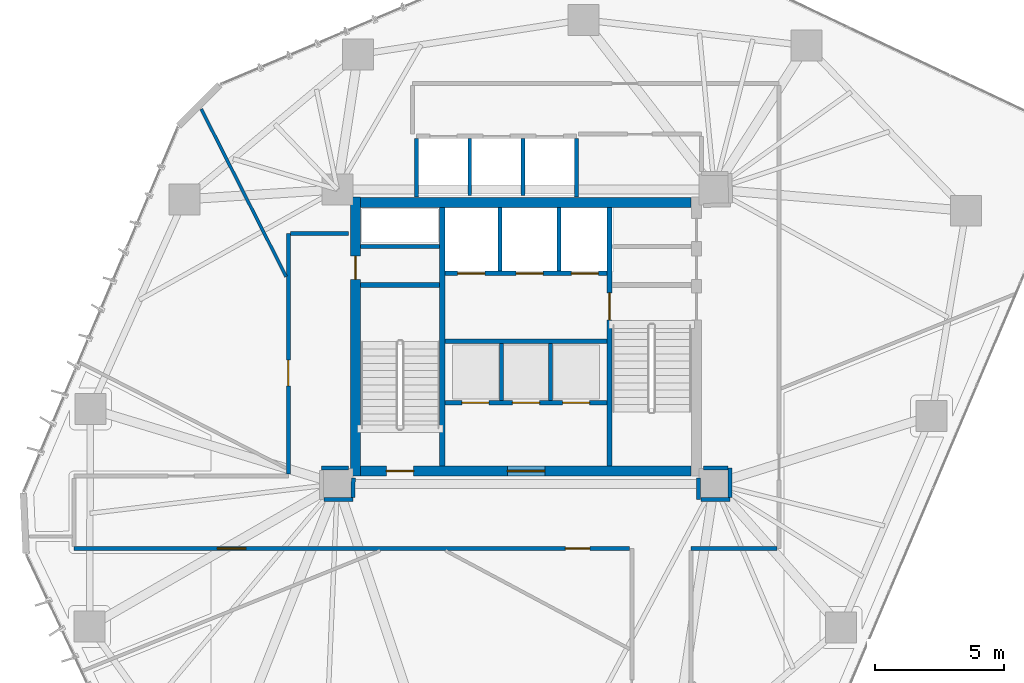
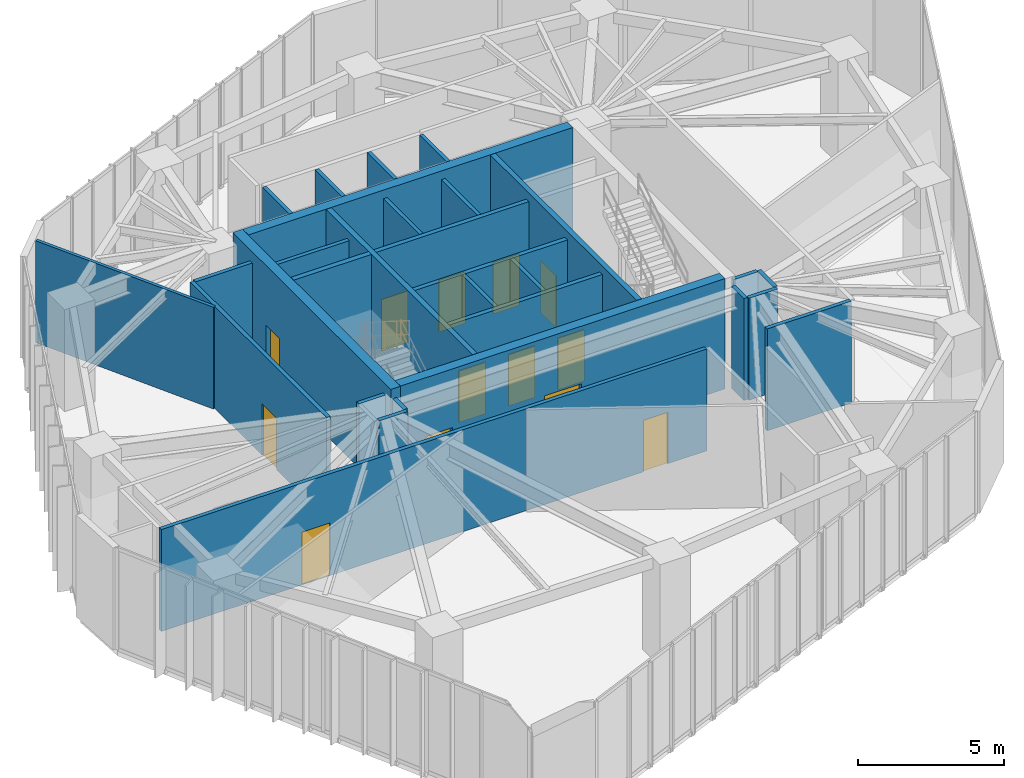
# One storey, part 22 of 28: 30 walls, 13 doors, 13 openings.
"""IFC4 building model written with IfcOpenShell, lengths in metres."""

from ifc_helpers import new_model, si_unit, direction, frame, frame_2d, origin, place, context, subcontext, project, spatial, rectangle, extrude, source, transform, mapped, material, layer, layer_set, type_object, type_shapes, element, fill, save


model = new_model("IFC4")

# Units and contexts
model_context = context("Model", 3, precision=1e-05, world=origin(), true_north=direction((0.0, 1.0)))
body_context = subcontext(model_context, "Body", "Model", "MODEL_VIEW")
ifc_project = project(units=[si_unit("LENGTHUNIT", "METRE"), si_unit("AREAUNIT", "SQUARE_METRE"), si_unit("VOLUMEUNIT", "CUBIC_METRE"), si_unit("PLANEANGLEUNIT", "RADIAN"), si_unit("MASSUNIT", "GRAM", prefix="KILO")], contexts=[model_context])

# Site, building, storey
site_placement = place(None, origin())
site = spatial("IfcSite", under=ifc_project, at=site_placement, CompositionType="ELEMENT")
building_placement = place(site_placement, origin())
building = spatial("IfcBuilding", under=site, at=building_placement, Name="Talar Marvaseh", CompositionType="ELEMENT")
storey_placement = place(building_placement, frame((0.0, 0.0, 157.800048828125)))
storey = spatial("IfcBuildingStorey", under=building, at=storey_placement, Name="L41", CompositionType="ELEMENT", Elevation=157.800048828125)

# Wall
ifc_material_1 = material(Name="Gypsum Board Partition Assembly")
ifc_layer_1 = layer(ifc_material_1, 0.155029296875)
ifc_layer_set_1 = layer_set([ifc_layer_1], Name="Gypsum Board Partition Assembly")
wall_type_1 = type_object("IfcWallType", Name="Corridor Fire-Rated Acoustic Partition 155", PredefinedType="PARTITIONING", material=ifc_layer_set_1)
wall_1_placement = place(storey_placement, frame((19.60009765625, 34.699951171875, 0.0), z_axis=(0.0, 0.0, 1.0), x_axis=(1.0, 0.0, 0.0)))
element("IfcWall", 1, at=wall_1_placement, inside=storey, type_object=wall_type_1, Name="L41 Core BOH Partition", PredefinedType="PARTITIONING", context=body_context, shape_type="SweptSolid", body=[
    extrude(rectangle(XDim=3.059814453125, YDim=0.155029296875, at=frame_2d((1.52978515625, 0.0))), origin(), (0.0, 0.0, 1.0), 4.25),
])

# Wall, opening, door
wall_2_placement = place(storey_placement, frame((16.800048828125, 25.883544921875, 0.0), z_axis=(0.0, 0.0, 1.0), x_axis=(0.0, 1.0, 0.0)))
wall_2 = element("IfcWall", 2, at=wall_2_placement, inside=storey, type_object=wall_type_1, Name="L41 Interior Partition Wall", PredefinedType="PARTITIONING", context=body_context, shape_type="SweptSolid", body=[
    extrude(rectangle(XDim=9.31640625, YDim=0.155029296875, at=frame_2d((4.658203125, 0.0))), origin(), (0.0, 0.0, 1.0), 4.25),
])
opening_1_placement = place(wall_2_placement, frame((3.412109375, 0.0, 0.0)))
opening_1 = element("IfcOpeningElement", 3, at=opening_1_placement, cuts=wall_2, Name="Opening DR-RM100", PredefinedType="OPENING", context=body_context, shape_type="SweptSolid", body=[
    extrude(rectangle(XDim=1.0, YDim=2.14990234375, at=frame_2d((0.5, 1.074951171875))), frame((0.0, 0.08740234375, 0.0), z_axis=(0.0, -1.0, 0.0), x_axis=(1.0, 0.0, 0.0)), (0.0, 0.0, 1.0), 0.175048828125),
])
ifc_material_2 = material(Name="Acoustic Engineered Oak Timber", Category="wood")
door_type_1 = type_object("IfcDoorType", Name="Corridor Fire-Rated Gallery Door 1000x2150", OperationType="NOTDEFINED", PredefinedType="DOOR", material=ifc_material_2)
shared_shape_1 = source(origin(), body_context, "Body", "SweptSolid", [
    extrude(rectangle(XDim=1.0, YDim=2.14990234375, at=frame_2d((0.5, 1.074951171875))), frame((0.0, 0.02490234375, 0.0), z_axis=(0.0, -1.0, 0.0), x_axis=(1.0, 0.0, 0.0)), (0.0, 0.0, 1.0), 0.050048828125),
])
type_shapes(door_type_1, [shared_shape_1])
door_1_placement = place(opening_1_placement, origin())
door_1 = element("IfcDoor", 4, at=door_1_placement, inside=storey, type_object=door_type_1, Name="L41 Scholars' Registration Reception Door", OperationType="SINGLE_SWING_LEFT", OverallHeight=2.14990234375, OverallWidth=1.0, PredefinedType="DOOR", context=body_context, shape_type="MappedRepresentation", body=[
    mapped(shared_shape_1, transform((0.0, 0.0, 0.0), x_axis=(1.0, 0.0, 0.0), y_axis=(0.0, 1.0, 0.0), z_axis=(0.0, 0.0, 1.0), scale=1.0)),
])
fill(opening_1, door_1)

# Wall, openings, doors
wall_3_placement = place(storey_placement, frame((30.0166015625, 23.0, 0.0), z_axis=(0.0, 0.0, 1.0), x_axis=(-1.0, 0.0, 0.0)))
wall_3 = element("IfcWall", 5, at=wall_3_placement, inside=storey, type_object=wall_type_1, Name="L41 Interior Partition Wall", PredefinedType="PARTITIONING", context=body_context, shape_type="SweptSolid", body=[
    extrude(rectangle(XDim=21.5166015625, YDim=0.155029296875, at=frame_2d((10.75830078125, 0.0))), origin(), (0.0, 0.0, 1.0), 4.25),
])
opening_2_placement = place(wall_3_placement, frame((14.865234375, 0.0, 0.0)))
opening_2 = element("IfcOpeningElement", 6, at=opening_2_placement, cuts=wall_3, Name="Opening DR-RM110", PredefinedType="OPENING", context=body_context, shape_type="SweptSolid", body=[
    extrude(rectangle(XDim=1.10009765625, YDim=2.199951171875, at=frame_2d((0.550048828125, 1.10009765625))), frame((0.0, 0.08740234375, 0.0), z_axis=(0.0, -1.0, 0.0), x_axis=(1.0, 0.0, 0.0)), (0.0, 0.0, 1.0), 0.175048828125),
])
opening_3_placement = place(wall_3_placement, frame((1.54296875, 0.0, 0.0)))
opening_3 = element("IfcOpeningElement", 7, at=opening_3_placement, cuts=wall_3, Name="Opening DR-WC095", PredefinedType="OPENING", context=body_context, shape_type="SweptSolid", body=[
    extrude(rectangle(XDim=0.949951171875, YDim=2.14990234375, at=frame_2d((0.47509765625, 1.074951171875))), frame((0.0, 0.08740234375, 0.0), z_axis=(0.0, -1.0, 0.0), x_axis=(1.0, 0.0, 0.0)), (0.0, 0.0, 1.0), 0.175048828125),
])
door_type_2 = type_object("IfcDoorType", Name="Washroom and Service Room Door 950x2150", OperationType="NOTDEFINED", PredefinedType="DOOR", material=ifc_material_2)
shared_shape_2 = source(origin(), body_context, "Body", "SweptSolid", [
    extrude(rectangle(XDim=0.949951171875, YDim=2.14990234375, at=frame_2d((0.47509765625, 1.074951171875))), frame((0.0, 0.02490234375, 0.0), z_axis=(0.0, -1.0, 0.0), x_axis=(1.0, 0.0, 0.0)), (0.0, 0.0, 1.0), 0.050048828125),
])
type_shapes(door_type_2, [shared_shape_2])
door_2_placement = place(opening_3_placement, origin())
door_2 = element("IfcDoor", 8, at=door_2_placement, inside=storey, type_object=door_type_2, Name="L41 Accessible WC Door", OperationType="SINGLE_SWING_LEFT", OverallHeight=2.14990234375, OverallWidth=0.949951171875, PredefinedType="DOOR", context=body_context, shape_type="MappedRepresentation", body=[
    mapped(shared_shape_2, transform((0.0, 0.0, 0.0), x_axis=(1.0, 0.0, 0.0), y_axis=(0.0, 1.0, 0.0), z_axis=(0.0, 0.0, 1.0), scale=1.0)),
])
fill(opening_3, door_2)
door_type_3 = type_object("IfcDoorType", Name="Assembly and Reading Hall Door 1100x2200", OperationType="NOTDEFINED", PredefinedType="DOOR", material=ifc_material_2)
shared_shape_3 = source(origin(), body_context, "Body", "SweptSolid", [
    extrude(rectangle(XDim=1.10009765625, YDim=2.199951171875, at=frame_2d((0.550048828125, 1.10009765625))), frame((0.0, 0.02490234375, 0.0), z_axis=(0.0, -1.0, 0.0), x_axis=(1.0, 0.0, 0.0)), (0.0, 0.0, 1.0), 0.050048828125),
])
type_shapes(door_type_3, [shared_shape_3])
door_3_placement = place(opening_2_placement, origin())
door_3 = element("IfcDoor", 9, at=door_3_placement, inside=storey, type_object=door_type_3, Name="L41 Gallery Concierge Reception Door", OperationType="SINGLE_SWING_LEFT", OverallHeight=2.199951171875, OverallWidth=1.10009765625, PredefinedType="DOOR", context=body_context, shape_type="MappedRepresentation", body=[
    mapped(shared_shape_3, transform((0.0, 0.0, 0.0), x_axis=(1.0, 0.0, 0.0), y_axis=(0.0, 1.0, 0.0), z_axis=(0.0, 0.0, 1.0), scale=1.0)),
])
fill(opening_2, door_3)

# Walls
wall_4_placement = place(storey_placement, frame((16.883544921875, 35.199951171875, 0.0), z_axis=(0.0, 0.0, 1.0), x_axis=(1.0, 0.0, 0.0)))
element("IfcWall", 10, at=wall_4_placement, inside=storey, type_object=wall_type_1, Name="L41 Interior Partition Wall", PredefinedType="PARTITIONING", context=body_context, shape_type="SweptSolid", body=[
    extrude(rectangle(XDim=2.246337890625, YDim=0.155029296875, at=frame_2d((1.123046875, 0.0))), origin(), (0.0, 0.0, 1.0), 4.25),
])
wall_5_placement = place(storey_placement, frame((19.1298828125, 26.114990234375, 0.0), z_axis=(0.0, 0.0, 1.0), x_axis=(-0.999986702653, -0.005156987215, 0.0)))
element("IfcWall", 11, at=wall_5_placement, inside=storey, type_object=wall_type_1, Name="L41 Interior Partition Wall", PredefinedType="PARTITIONING", context=body_context, shape_type="SweptSolid", body=[
    extrude(rectangle(XDim=1.04150390625, YDim=0.155029296875, at=frame_2d((0.520751953125, 0.0))), origin(), (0.0, 0.0, 1.0), 4.25),
])
wall_6_placement = place(storey_placement, frame((18.17529296875, 24.8876953125, 0.0), z_axis=(0.0, 0.0, 1.0), x_axis=(0.999999791525, 0.000645716611, 0.0)))
element("IfcWall", 12, at=wall_6_placement, inside=storey, type_object=wall_type_1, Name="L41 Interior Partition Wall", PredefinedType="PARTITIONING", context=body_context, shape_type="SweptSolid", body=[
    extrude(rectangle(XDim=1.13427734375, YDim=0.155029296875, at=frame_2d((0.567138671875, 0.0))), origin(), (0.0, 0.0, 1.0), 4.25),
])
wall_7_placement = place(storey_placement, frame((19.31005859375, 24.971923828125, 0.0), z_axis=(0.0, 0.0, 1.0), x_axis=(0.006441090216, 0.999979255963, 0.0)))
element("IfcWall", 13, at=wall_7_placement, inside=storey, type_object=wall_type_1, Name="L41 Interior Partition Wall", PredefinedType="PARTITIONING", context=body_context, shape_type="SweptSolid", body=[
    extrude(rectangle(XDim=0.758056640625, YDim=0.155029296875, at=frame_2d((0.37890625, 0.0))), origin(), (0.0, 0.0, 1.0), 4.25),
])
wall_8_placement = place(storey_placement, frame((32.68505859375, 25.72998046875, 0.0), z_axis=(0.0, 0.0, 1.0), x_axis=(0.006382231486, -0.999979633353, 0.0)))
element("IfcWall", 14, at=wall_8_placement, inside=storey, type_object=wall_type_1, Name="L41 Interior Partition Wall", PredefinedType="PARTITIONING", context=body_context, shape_type="SweptSolid", body=[
    extrude(rectangle(XDim=0.841552734375, YDim=0.155029296875, at=frame_2d((0.4208984375, 0.0))), origin(), (0.0, 0.0, 1.0), 4.25),
])
wall_9_placement = place(storey_placement, frame((32.77392578125, 24.88818359375, 0.0), z_axis=(0.0, 0.0, 1.0), x_axis=(0.999999791525, -0.000645716611, 0.0)))
element("IfcWall", 15, at=wall_9_placement, inside=storey, type_object=wall_type_1, Name="L41 Interior Partition Wall", PredefinedType="PARTITIONING", context=body_context, shape_type="SweptSolid", body=[
    extrude(rectangle(XDim=1.13427734375, YDim=0.155029296875, at=frame_2d((0.567138671875, 0.0))), origin(), (0.0, 0.0, 1.0), 4.25),
])
wall_10_placement = place(storey_placement, frame((33.90869140625, 24.970947265625, 0.0), z_axis=(0.0, 0.0, 1.0), x_axis=(0.002572890283, 0.999996690112, 0.0)))
element("IfcWall", 16, at=wall_10_placement, inside=storey, type_object=wall_type_1, Name="L41 Interior Partition Wall", PredefinedType="PARTITIONING", context=body_context, shape_type="SweptSolid", body=[
    extrude(rectangle(XDim=1.138671875, YDim=0.155029296875, at=frame_2d((0.5693359375, 0.0))), origin(), (0.0, 0.0, 1.0), 4.25),
])
wall_11_placement = place(storey_placement, frame((33.828125, 26.110107421875, 0.0), z_axis=(0.0, 0.0, 1.0), x_axis=(-0.999987011364, 0.005096773758, 0.0)))
element("IfcWall", 17, at=wall_11_placement, inside=storey, type_object=wall_type_1, Name="L41 Interior Partition Wall", PredefinedType="PARTITIONING", context=body_context, shape_type="SweptSolid", body=[
    extrude(rectangle(XDim=0.9580078125, YDim=0.155029296875, at=frame_2d((0.47900390625, 0.0))), origin(), (0.0, 0.0, 1.0), 4.25),
])
wall_12_placement = place(storey_placement, frame((35.716552734375, 23.0, 0.0), z_axis=(0.0, 0.0, 1.0), x_axis=(-1.0, 0.0, 0.0)))
element("IfcWall", 18, at=wall_12_placement, inside=storey, type_object=wall_type_1, Name="L41 Interior Partition Wall", PredefinedType="PARTITIONING", context=body_context, shape_type="SweptSolid", body=[
    extrude(rectangle(XDim=3.316650390625, YDim=0.155029296875, at=frame_2d((1.658203125, 0.0))), origin(), (0.0, 0.0, 1.0), 4.25),
])
ifc_layer_2 = layer(ifc_material_1, 0.1201171875)
ifc_layer_set_2 = layer_set([ifc_layer_2], Name="Gypsum Board Partition Assembly")
wall_type_2 = type_object("IfcWallType", Name="Demountable Studio Room Partition 120", PredefinedType="PARTITIONING", material=ifc_layer_set_2)
wall_13_placement = place(storey_placement, frame((16.716552734375, 33.524658203125, 0.0), z_axis=(0.0, 0.0, 1.0), x_axis=(-0.452067718234, 0.891983619878, 0.0)))
element("IfcWall", 19, at=wall_13_placement, inside=storey, type_object=wall_type_2, Name="L41 Interior Partition Wall", PredefinedType="PARTITIONING", context=body_context, shape_type="SweptSolid", body=[
    extrude(rectangle(XDim=7.27294921875, YDim=0.1201171875, at=frame_2d((3.636474609375, 0.0))), origin(), (0.0, 0.0, 1.0), 4.25),
])
ifc_material_3 = material(Name="Precast concrete C45/55", Category="concrete")
ifc_layer_3 = layer(ifc_material_3, 0.14501953125)
ifc_layer_set_3 = layer_set([ifc_layer_3], Name="Precast concrete C45/55")
wall_type_3 = type_object("IfcWallType", Name="Fire-Rated Lift Divider Wall 145", PredefinedType="SOLIDWALL", material=ifc_layer_set_3)
for number, where, z_axis, x_axis, name in (
    (20, (25.0, 33.743408203125, 0.0), (0.0, 0.0, 1.0), (0.0, 1.0, 0.0), "L41 FFL-1/FFL-2 Divider"),
    (21, (27.280029296875, 33.743408203125, 0.0), (0.0, 0.0, 1.0), (0.0, 1.0, 0.0), "L41 FFL-2/SVL-1 Divider"),
):
    element("IfcWall", number, at=place(storey_placement, frame(where, z_axis=z_axis, x_axis=x_axis)), inside=storey, type_object=wall_type_3, Name=name, PredefinedType="SOLIDWALL", context=body_context, shape_type="SweptSolid", body=[
        extrude(rectangle(XDim=2.45654296875, YDim=0.14501953125, at=frame_2d((1.228271484375, 0.0))), origin(), (0.0, 0.0, 1.0), 4.25),
    ])
for number, where, z_axis, x_axis, name in (
    (22, (25.050048828125, 28.719970703125, 0.0), (0.0, 0.0, 1.0), (0.0, 1.0, 0.0), "L41 PL-H1/PL-H2 Divider"),
    (23, (26.949951171875, 28.719970703125, 0.0), (0.0, 0.0, 1.0), (0.0, 1.0, 0.0), "L41 PL-H2/PL-H3 Divider"),
):
    element("IfcWall", number, at=place(storey_placement, frame(where, z_axis=z_axis, x_axis=x_axis)), inside=storey, type_object=wall_type_3, Name=name, PredefinedType="SOLIDWALL", context=body_context, shape_type="SweptSolid", body=[
        extrude(rectangle(XDim=2.20654296875, YDim=0.14501953125, at=frame_2d((1.103271484375, 0.0))), origin(), (0.0, 0.0, 1.0), 4.25),
    ])
for number, where, z_axis, x_axis, name in (
    (24, (21.760009765625, 36.60009765625, 0.0), (0.0, 0.0, 1.0), (0.0, 1.0, 0.0), "L41 Low-Rise Bank West Wall"),
    (25, (27.9599609375, 36.60009765625, 0.0), (0.0, 0.0, 1.0), (0.0, 1.0, 0.0), "L41 Low-Rise Bank East Wall"),
):
    element("IfcWall", number, at=place(storey_placement, frame(where, z_axis=z_axis, x_axis=x_axis)), inside=storey, type_object=wall_type_3, Name=name, PredefinedType="SOLIDWALL", context=body_context, shape_type="SweptSolid", body=[
        extrude(rectangle(XDim=2.266357421875, YDim=0.14501953125, at=frame_2d((1.13330078125, 0.0))), origin(), (0.0, 0.0, 1.0), 4.25),
    ])
for number, where, z_axis, x_axis, name in (
    (26, (23.830078125, 36.659912109375, 0.0), (0.0, 0.0, 1.0), (0.0, 1.0, 0.0), "L41 PL-L1/PL-L2 Divider"),
    (27, (25.889892578125, 36.659912109375, 0.0), (0.0, 0.0, 1.0), (0.0, 1.0, 0.0), "L41 PL-L2/PL-L3 Divider"),
):
    element("IfcWall", number, at=place(storey_placement, frame(where, z_axis=z_axis, x_axis=x_axis)), inside=storey, type_object=wall_type_3, Name=name, PredefinedType="SOLIDWALL", context=body_context, shape_type="SweptSolid", body=[
        extrude(rectangle(XDim=2.20654296875, YDim=0.14501953125, at=frame_2d((1.103271484375, 0.0))), origin(), (0.0, 0.0, 1.0), 4.25),
    ])

# Wall, openings, doors
ifc_layer_4 = layer(ifc_material_3, 0.175048828125)
ifc_layer_set_4 = layer_set([ifc_layer_4], Name="Precast concrete C45/55")
wall_type_4 = type_object("IfcWallType", Name="Fire-Rated Lift Hoistway Enclosure Wall 175", PredefinedType="SOLIDWALL", material=ifc_layer_set_4)
wall_14_placement = place(storey_placement, frame((22.860107421875, 33.64990234375, 0.0), z_axis=(0.0, 0.0, 1.0), x_axis=(1.0, 0.0, 0.0)))
wall_14 = element("IfcWall", 28, at=wall_14_placement, inside=storey, type_object=wall_type_4, Name="L41 Firefighting and Service Lift Front Wall", PredefinedType="SOLIDWALL", context=body_context, shape_type="SweptSolid", body=[
    extrude(rectangle(XDim=6.27978515625, YDim=0.175048828125, at=frame_2d((3.139892578125, 0.0))), origin(), (0.0, 0.0, 1.0), 4.25),
])
opening_4_placement = place(wall_14_placement, frame((0.5, 0.0, 0.0)))
opening_4 = element("IfcOpeningElement", 29, at=opening_4_placement, cuts=wall_14, Name="Opening LD-FF1", PredefinedType="OPENING", context=body_context, shape_type="SweptSolid", body=[
    extrude(rectangle(XDim=1.050048828125, YDim=2.14990234375, at=frame_2d((0.52490234375, 1.074951171875))), frame((0.0, 0.09765625, 0.0), z_axis=(0.0, -1.0, 0.0), x_axis=(1.0, 0.0, 0.0)), (0.0, 0.0, 1.0), 0.195068359375),
])
opening_5_placement = place(wall_14_placement, frame((2.760009765625, 0.0, 0.0)))
opening_5 = element("IfcOpeningElement", 30, at=opening_5_placement, cuts=wall_14, Name="Opening LD-FF2", PredefinedType="OPENING", context=body_context, shape_type="SweptSolid", body=[
    extrude(rectangle(XDim=1.050048828125, YDim=2.14990234375, at=frame_2d((0.52490234375, 1.074951171875))), frame((0.0, 0.09765625, 0.0), z_axis=(0.0, -1.0, 0.0), x_axis=(1.0, 0.0, 0.0)), (0.0, 0.0, 1.0), 0.195068359375),
])
opening_6_placement = place(wall_14_placement, frame((4.89990234375, 0.0, 0.0)))
opening_6 = element("IfcOpeningElement", 31, at=opening_6_placement, cuts=wall_14, Name="Opening LD-SV1", PredefinedType="OPENING", context=body_context, shape_type="SweptSolid", body=[
    extrude(rectangle(XDim=1.050048828125, YDim=2.14990234375, at=frame_2d((0.52490234375, 1.074951171875))), frame((0.0, 0.09765625, 0.0), z_axis=(0.0, -1.0, 0.0), x_axis=(1.0, 0.0, 0.0)), (0.0, 0.0, 1.0), 0.195068359375),
])
ifc_material_4 = material(Name="Stainless Steel Grade 316", Category="steel")
door_type_4 = type_object("IfcDoorType", Name="Automatic Sliding Lift Landing Door 1050x2150", OperationType="NOTDEFINED", PredefinedType="DOOR", material=ifc_material_4)
shared_shape_4 = source(origin(), body_context, "Body", "SweptSolid", [
    extrude(rectangle(XDim=1.050048828125, YDim=2.14990234375, at=frame_2d((0.52490234375, 1.074951171875))), frame((0.0, 0.02490234375, 0.0), z_axis=(0.0, -1.0, 0.0), x_axis=(1.0, 0.0, 0.0)), (0.0, 0.0, 1.0), 0.050048828125),
])
type_shapes(door_type_4, [shared_shape_4])
door_4_placement = place(opening_4_placement, origin())
door_4 = element("IfcDoor", 32, at=door_4_placement, inside=storey, type_object=door_type_4, Name="L41 Lift FFL-1 Sliding Landing Door", OperationType="SLIDING_TO_LEFT", OverallHeight=2.14990234375, OverallWidth=1.050048828125, PredefinedType="DOOR", context=body_context, shape_type="MappedRepresentation", body=[
    mapped(shared_shape_4, transform((0.0, 0.0, 0.0), x_axis=(1.0, 0.0, 0.0), y_axis=(0.0, 1.0, 0.0), z_axis=(0.0, 0.0, 1.0), scale=1.0)),
])
fill(opening_4, door_4)
door_5_placement = place(opening_5_placement, origin())
door_5 = element("IfcDoor", 33, at=door_5_placement, inside=storey, type_object=door_type_4, Name="L41 Lift FFL-2 Sliding Landing Door", OperationType="SLIDING_TO_LEFT", OverallHeight=2.14990234375, OverallWidth=1.050048828125, PredefinedType="DOOR", context=body_context, shape_type="MappedRepresentation", body=[
    mapped(shared_shape_4, transform((0.0, 0.0, 0.0), x_axis=(1.0, 0.0, 0.0), y_axis=(0.0, 1.0, 0.0), z_axis=(0.0, 0.0, 1.0), scale=1.0)),
])
fill(opening_5, door_5)
door_6_placement = place(opening_6_placement, origin())
door_6 = element("IfcDoor", 34, at=door_6_placement, inside=storey, type_object=door_type_4, Name="L41 Lift SVL-1 Sliding Landing Door", OperationType="SLIDING_TO_LEFT", OverallHeight=2.14990234375, OverallWidth=1.050048828125, PredefinedType="DOOR", context=body_context, shape_type="MappedRepresentation", body=[
    mapped(shared_shape_4, transform((0.0, 0.0, 0.0), x_axis=(1.0, 0.0, 0.0), y_axis=(0.0, 1.0, 0.0), z_axis=(0.0, 0.0, 1.0), scale=1.0)),
])
fill(opening_6, door_6)

# Wall
wall_15_placement = place(storey_placement, frame((22.860107421875, 31.02001953125, 0.0), z_axis=(0.0, 0.0, 1.0), x_axis=(1.0, 0.0, 0.0)))
element("IfcWall", 35, at=wall_15_placement, inside=storey, type_object=wall_type_4, Name="L41 Firefighting Lobby South Smoke Wall", PredefinedType="SOLIDWALL", context=body_context, shape_type="SweptSolid", body=[
    extrude(rectangle(XDim=6.27978515625, YDim=0.175048828125, at=frame_2d((3.139892578125, 0.0))), origin(), (0.0, 0.0, 1.0), 4.25),
])

# Wall, openings, doors
wall_16_placement = place(storey_placement, frame((22.860107421875, 28.639892578125, 0.0), z_axis=(0.0, 0.0, 1.0), x_axis=(1.0, 0.0, 0.0)))
wall_16 = element("IfcWall", 36, at=wall_16_placement, inside=storey, type_object=wall_type_4, Name="L41 High-Rise Lift Bank Front Wall", PredefinedType="SOLIDWALL", context=body_context, shape_type="SweptSolid", body=[
    extrude(rectangle(XDim=6.27978515625, YDim=0.175048828125, at=frame_2d((3.139892578125, 0.0))), origin(), (0.0, 0.0, 1.0), 4.25),
])
opening_7_placement = place(wall_16_placement, frame((0.659912109375, 0.0, 0.0)))
opening_7 = element("IfcOpeningElement", 37, at=opening_7_placement, cuts=wall_16, Name="Opening LD-PLH1", PredefinedType="OPENING", context=body_context, shape_type="SweptSolid", body=[
    extrude(rectangle(XDim=1.050048828125, YDim=2.14990234375, at=frame_2d((0.52490234375, 1.074951171875))), frame((0.0, 0.09765625, 0.0), z_axis=(0.0, -1.0, 0.0), x_axis=(1.0, 0.0, 0.0)), (0.0, 0.0, 1.0), 0.195068359375),
])
opening_8_placement = place(wall_16_placement, frame((2.6201171875, 0.0, 0.0)))
opening_8 = element("IfcOpeningElement", 38, at=opening_8_placement, cuts=wall_16, Name="Opening LD-PLH2", PredefinedType="OPENING", context=body_context, shape_type="SweptSolid", body=[
    extrude(rectangle(XDim=1.050048828125, YDim=2.14990234375, at=frame_2d((0.52490234375, 1.074951171875))), frame((0.0, 0.09765625, 0.0), z_axis=(0.0, -1.0, 0.0), x_axis=(1.0, 0.0, 0.0)), (0.0, 0.0, 1.0), 0.195068359375),
])
opening_9_placement = place(wall_16_placement, frame((4.56005859375, 0.0, 0.0)))
opening_9 = element("IfcOpeningElement", 39, at=opening_9_placement, cuts=wall_16, Name="Opening LD-PLH3", PredefinedType="OPENING", context=body_context, shape_type="SweptSolid", body=[
    extrude(rectangle(XDim=1.050048828125, YDim=2.14990234375, at=frame_2d((0.52490234375, 1.074951171875))), frame((0.0, 0.09765625, 0.0), z_axis=(0.0, -1.0, 0.0), x_axis=(1.0, 0.0, 0.0)), (0.0, 0.0, 1.0), 0.195068359375),
])
door_7_placement = place(opening_7_placement, origin())
door_7 = element("IfcDoor", 40, at=door_7_placement, inside=storey, type_object=door_type_4, Name="L41 Lift PL-H1 Sliding Landing Door", OperationType="SLIDING_TO_LEFT", OverallHeight=2.14990234375, OverallWidth=1.050048828125, PredefinedType="DOOR", context=body_context, shape_type="MappedRepresentation", body=[
    mapped(shared_shape_4, transform((0.0, 0.0, 0.0), x_axis=(1.0, 0.0, 0.0), y_axis=(0.0, 1.0, 0.0), z_axis=(0.0, 0.0, 1.0), scale=1.0)),
])
fill(opening_7, door_7)
door_8_placement = place(opening_8_placement, origin())
door_8 = element("IfcDoor", 41, at=door_8_placement, inside=storey, type_object=door_type_4, Name="L41 Lift PL-H2 Sliding Landing Door", OperationType="SLIDING_TO_LEFT", OverallHeight=2.14990234375, OverallWidth=1.050048828125, PredefinedType="DOOR", context=body_context, shape_type="MappedRepresentation", body=[
    mapped(shared_shape_4, transform((0.0, 0.0, 0.0), x_axis=(1.0, 0.0, 0.0), y_axis=(0.0, 1.0, 0.0), z_axis=(0.0, 0.0, 1.0), scale=1.0)),
])
fill(opening_8, door_8)
door_9_placement = place(opening_9_placement, origin())
door_9 = element("IfcDoor", 42, at=door_9_placement, inside=storey, type_object=door_type_4, Name="L41 Lift PL-H3 Sliding Landing Door", OperationType="SLIDING_TO_LEFT", OverallHeight=2.14990234375, OverallWidth=1.050048828125, PredefinedType="DOOR", context=body_context, shape_type="MappedRepresentation", body=[
    mapped(shared_shape_4, transform((0.0, 0.0, 0.0), x_axis=(1.0, 0.0, 0.0), y_axis=(0.0, 1.0, 0.0), z_axis=(0.0, 0.0, 1.0), scale=1.0)),
])
fill(opening_9, door_9)

# Wall, opening, door
ifc_material_5 = material(Name="Concrete C60/75", Category="concrete")
ifc_layer_5 = layer(ifc_material_5, 0.3798828125)
ifc_layer_set_5 = layer_set([ifc_layer_5], Name="Concrete C60/75")
wall_type_5 = type_object("IfcWallType", Name="Mid Core Reinforced Concrete Shear Wall 380", PredefinedType="SHEAR", material=ifc_layer_set_5)
wall_17_placement = place(storey_placement, frame((19.39990234375, 25.800048828125, 0.0), z_axis=(0.0, 0.0, 1.0), x_axis=(0.0, 1.0, 0.0)))
wall_17 = element("IfcWall", 43, at=wall_17_placement, inside=storey, type_object=wall_type_5, Name="L41 West Core Shear Wall", PredefinedType="SHEAR", context=body_context, shape_type="SweptSolid", body=[
    extrude(rectangle(XDim=10.800048828125, YDim=0.3798828125, at=frame_2d((5.39990234375, 0.0))), origin(), (0.0, 0.0, 1.0), 4.599853515625),
])
opening_10_placement = place(wall_17_placement, frame((7.6201171875, 0.0, 0.0)))
opening_10 = element("IfcOpeningElement", 44, at=opening_10_placement, cuts=wall_17, Name="Opening DR-BOH090", PredefinedType="OPENING", context=body_context, shape_type="SweptSolid", body=[
    extrude(rectangle(XDim=0.89990234375, YDim=2.10009765625, at=frame_2d((0.449951171875, 1.050048828125))), frame((0.0, 0.199951171875, 0.0), z_axis=(0.0, -1.0, 0.0), x_axis=(1.0, 0.0, 0.0)), (0.0, 0.0, 1.0), 0.39990234375),
])
ifc_material_6 = material(Name="Fire-Rated Steel Door Leaf", Category="steel")
door_type_5 = type_object("IfcDoorType", Name="Core Back-of-House Service Door 900x2100", OperationType="NOTDEFINED", PredefinedType="DOOR", material=ifc_material_6)
shared_shape_5 = source(origin(), body_context, "Body", "SweptSolid", [
    extrude(rectangle(XDim=0.89990234375, YDim=2.10009765625, at=frame_2d((0.449951171875, 1.050048828125))), frame((0.0, 0.02490234375, 0.0), z_axis=(0.0, -1.0, 0.0), x_axis=(1.0, 0.0, 0.0)), (0.0, 0.0, 1.0), 0.050048828125),
])
type_shapes(door_type_5, [shared_shape_5])
door_10_placement = place(opening_10_placement, origin())
door_10 = element("IfcDoor", 45, at=door_10_placement, inside=storey, type_object=door_type_5, Name="L41 Cleaner Core West Closet Door", OperationType="SINGLE_SWING_LEFT", OverallHeight=2.10009765625, OverallWidth=0.89990234375, PredefinedType="DOOR", context=body_context, shape_type="MappedRepresentation", body=[
    mapped(shared_shape_5, transform((0.0, 0.0, 0.0), x_axis=(1.0, 0.0, 0.0), y_axis=(0.0, 1.0, 0.0), z_axis=(0.0, 0.0, 1.0), scale=1.0)),
])
fill(opening_10, door_10)

# Wall
wall_18_placement = place(storey_placement, frame((19.60009765625, 36.39990234375, 0.0), z_axis=(0.0, 0.0, 1.0), x_axis=(1.0, 0.0, 0.0)))
element("IfcWall", 46, at=wall_18_placement, inside=storey, type_object=wall_type_5, Name="L41 North Core Shear Wall", PredefinedType="SHEAR", context=body_context, shape_type="SweptSolid", body=[
    extrude(rectangle(XDim=12.7998046875, YDim=0.3798828125, at=frame_2d((6.39990234375, 0.0))), origin(), (0.0, 0.0, 1.0), 4.599853515625),
])

# Wall, openings, doors
wall_19_placement = place(storey_placement, frame((32.39990234375, 26.0, 0.0), z_axis=(0.0, 0.0, 1.0), x_axis=(-1.0, 0.0, 0.0)))
wall_19 = element("IfcWall", 47, at=wall_19_placement, inside=storey, type_object=wall_type_5, Name="L41 South Core Shear Wall", PredefinedType="SHEAR", context=body_context, shape_type="SweptSolid", body=[
    extrude(rectangle(XDim=12.7998046875, YDim=0.3798828125, at=frame_2d((6.39990234375, 0.0))), origin(), (0.0, 0.0, 1.0), 4.599853515625),
])
opening_11_placement = place(wall_19_placement, frame((10.75, 0.0, 0.0)))
opening_11 = element("IfcOpeningElement", 48, at=opening_11_placement, cuts=wall_19, Name="Opening DR-ST105", PredefinedType="OPENING", context=body_context, shape_type="SweptSolid", body=[
    extrude(rectangle(XDim=1.050048828125, YDim=2.14990234375, at=frame_2d((0.52490234375, 1.074951171875))), frame((0.0, 0.199951171875, 0.0), z_axis=(0.0, -1.0, 0.0), x_axis=(1.0, 0.0, 0.0)), (0.0, 0.0, 1.0), 0.39990234375),
])
opening_12_placement = place(wall_19_placement, frame((5.669921875, 0.0, 0.0)))
opening_12 = element("IfcOpeningElement", 49, at=opening_12_placement, cuts=wall_19, Name="Opening DR-LBY145", PredefinedType="OPENING", context=body_context, shape_type="SweptSolid", body=[
    extrude(rectangle(XDim=1.449951171875, YDim=2.199951171875, at=frame_2d((0.72509765625, 1.10009765625))), frame((0.0, 0.199951171875, 0.0), z_axis=(0.0, -1.0, 0.0), x_axis=(1.0, 0.0, 0.0)), (0.0, 0.0, 1.0), 0.39990234375),
])
door_type_6 = type_object("IfcDoorType", Name="Protected Exit Stair Fire Door 1050x2150", OperationType="NOTDEFINED", PredefinedType="DOOR", material=ifc_material_6)
shared_shape_6 = source(origin(), body_context, "Body", "SweptSolid", [
    extrude(rectangle(XDim=1.050048828125, YDim=2.14990234375, at=frame_2d((0.52490234375, 1.074951171875))), frame((0.0, 0.02490234375, 0.0), z_axis=(0.0, -1.0, 0.0), x_axis=(1.0, 0.0, 0.0)), (0.0, 0.0, 1.0), 0.050048828125),
])
type_shapes(door_type_6, [shared_shape_6])
door_11_placement = place(opening_11_placement, origin())
door_11 = element("IfcDoor", 50, at=door_11_placement, inside=storey, type_object=door_type_6, Name="L41 Stair ST-1 Exit Door", OperationType="SINGLE_SWING_RIGHT", OverallHeight=2.14990234375, OverallWidth=1.050048828125, PredefinedType="DOOR", context=body_context, shape_type="MappedRepresentation", body=[
    mapped(shared_shape_6, transform((0.0, 0.0, 0.0), x_axis=(1.0, 0.0, 0.0), y_axis=(0.0, 1.0, 0.0), z_axis=(0.0, 0.0, 1.0), scale=1.0)),
])
fill(opening_11, door_11)
door_type_7 = type_object("IfcDoorType", Name="Core Lift Lobby Double Smoke Door 1450x2200", OperationType="NOTDEFINED", PredefinedType="DOOR", material=ifc_material_6)
shared_shape_7 = source(origin(), body_context, "Body", "SweptSolid", [
    extrude(rectangle(XDim=1.449951171875, YDim=2.199951171875, at=frame_2d((0.72509765625, 1.10009765625))), frame((0.0, 0.02490234375, 0.0), z_axis=(0.0, -1.0, 0.0), x_axis=(1.0, 0.0, 0.0)), (0.0, 0.0, 1.0), 0.050048828125),
])
type_shapes(door_type_7, [shared_shape_7])
door_12_placement = place(opening_12_placement, origin())
door_12 = element("IfcDoor", 51, at=door_12_placement, inside=storey, type_object=door_type_7, Name="L41 Passenger Lift Lobby Entrance Door", OperationType="DOUBLE_DOOR_SINGLE_SWING", OverallHeight=2.199951171875, OverallWidth=1.449951171875, PredefinedType="DOOR", context=body_context, shape_type="MappedRepresentation", body=[
    mapped(shared_shape_7, transform((0.0, 0.0, 0.0), x_axis=(1.0, 0.0, 0.0), y_axis=(0.0, 1.0, 0.0), z_axis=(0.0, 0.0, 1.0), scale=1.0)),
])
fill(opening_12, door_12)

# Wall
ifc_material_7 = material(Name="Concrete C50/60", Category="concrete")
ifc_layer_6 = layer(ifc_material_7, 0.199951171875)
ifc_layer_set_6 = layer_set([ifc_layer_6], Name="Concrete C50/60")
wall_type_6 = type_object("IfcWallType", Name="Stair Shaft Structural Concrete Shear Wall 200", PredefinedType="SHEAR", material=ifc_layer_set_6)
wall_20_placement = place(storey_placement, frame((22.760009765625, 26.199951171875, 0.0), z_axis=(0.0, 0.0, 1.0), x_axis=(0.0, 1.0, 0.0)))
element("IfcWall", 52, at=wall_20_placement, inside=storey, type_object=wall_type_6, Name="L41 Core West Stair Shear Wall", PredefinedType="SHEAR", context=body_context, shape_type="SweptSolid", body=[
    extrude(rectangle(XDim=10.0, YDim=0.199951171875, at=frame_2d((5.0, 0.0))), origin(), (0.0, 0.0, 1.0), 4.599853515625),
])

# Wall, opening, door
wall_21_placement = place(storey_placement, frame((29.239990234375, 26.199951171875, 0.0), z_axis=(0.0, 0.0, 1.0), x_axis=(0.0, 1.0, 0.0)))
wall_21 = element("IfcWall", 53, at=wall_21_placement, inside=storey, type_object=wall_type_6, Name="L41 Core East Stair Shear Wall", PredefinedType="SHEAR", context=body_context, shape_type="SweptSolid", body=[
    extrude(rectangle(XDim=10.0, YDim=0.199951171875, at=frame_2d((5.0, 0.0))), origin(), (0.0, 0.0, 1.0), 4.599853515625),
])
opening_13_placement = place(wall_21_placement, frame((5.64990234375, 0.0, 0.0)))
opening_13 = element("IfcOpeningElement", 54, at=opening_13_placement, cuts=wall_21, Name="Opening DR-ST105", PredefinedType="OPENING", context=body_context, shape_type="SweptSolid", body=[
    extrude(rectangle(XDim=1.050048828125, YDim=2.14990234375, at=frame_2d((0.52490234375, 1.074951171875))), frame((0.0, 0.10986328125, 0.0), z_axis=(0.0, -1.0, 0.0), x_axis=(1.0, 0.0, 0.0)), (0.0, 0.0, 1.0), 0.219970703125),
])
door_13_placement = place(opening_13_placement, origin())
door_13 = element("IfcDoor", 55, at=door_13_placement, inside=storey, type_object=door_type_6, Name="L41 Firefighting Lobby to Stair ST-2 Door", OperationType="SINGLE_SWING_LEFT", OverallHeight=2.14990234375, OverallWidth=1.050048828125, PredefinedType="DOOR", context=body_context, shape_type="MappedRepresentation", body=[
    mapped(shared_shape_6, transform((0.0, 0.0, 0.0), x_axis=(1.0, 0.0, 0.0), y_axis=(0.0, 1.0, 0.0), z_axis=(0.0, 0.0, 1.0), scale=1.0)),
])
fill(opening_13, door_13)

# Wall
wall_22_placement = place(storey_placement, frame((19.60009765625, 33.199951171875, 0.0), z_axis=(0.0, 0.0, 1.0), x_axis=(1.0, 0.0, 0.0)))
element("IfcWall", 56, at=wall_22_placement, inside=storey, type_object=wall_type_6, Name="L41 Stair ST-1 North Shear Wall", PredefinedType="SHEAR", context=body_context, shape_type="SweptSolid", body=[
    extrude(rectangle(XDim=3.059814453125, YDim=0.199951171875, at=frame_2d((1.52978515625, 0.0))), origin(), (0.0, 0.0, 1.0), 4.599853515625),
])

save(model, "model.ifc")
